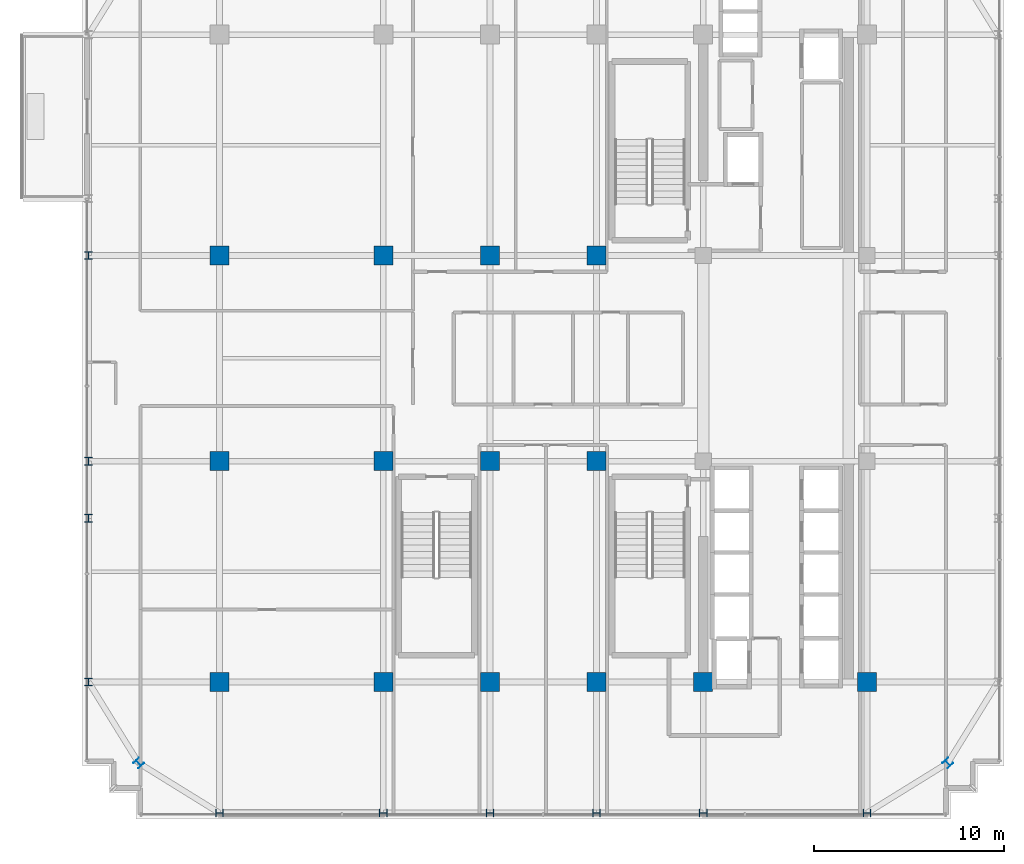
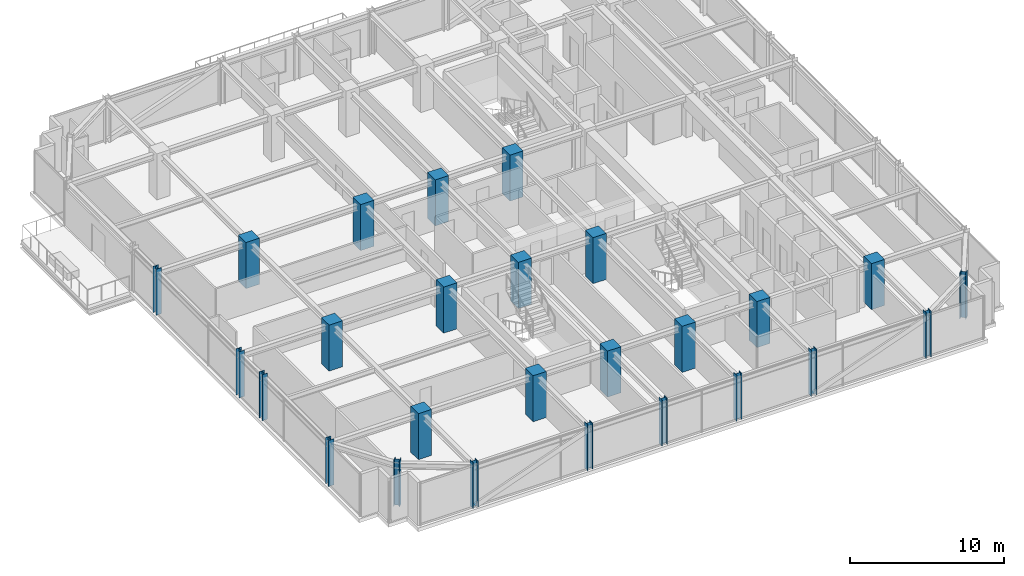
# One storey, part 1 of 41: 26 columns.
"""IFC4 building model written with IfcOpenShell, lengths in metres."""

import ifcopenshell
import ifcopenshell.guid

model = None  # the IFC model being written
_history = None  # IfcOwnerHistory: only IFC2X3 demands one
_inside = {}  # id of a spatial element -> (the spatial element, [elements in it])
_under = {}  # id of a project, library or spatial element -> (it, [spatial elements below it])
_declared = {}  # id of a project -> (the project, [libraries it declares])
_typed = {}  # id of a type object -> (the type object, [elements of that type])
_made_of = {}  # id of a material, layer set ... -> (it, [elements and type objects made of it])


def new_model(schema):
    """Start an empty IFC model of exactly this schema.

    Asked for "IFC4X3", IfcOpenShell would pick the latest addendum, in which some entities
    have other attributes; the version numbers below select the first issue.
    IFC2X3 requires an IfcOwnerHistory on every rooted entity: one is made here for all.
    """
    global model, _history
    if schema == "IFC4X3":
        model = ifcopenshell.file(schema_version=(4, 3, 0, 0))
    else:
        model = ifcopenshell.file(schema=schema)
    _inside.clear()
    _under.clear()
    _declared.clear()
    _typed.clear()
    _made_of.clear()
    _history = None
    if model.schema == "IFC2X3":
        org = make("IfcOrganization", Name="unknown")
        user = make(
            "IfcPersonAndOrganization",
            ThePerson=make("IfcPerson", FamilyName="unknown"),
            TheOrganization=org,
        )
        app = make(
            "IfcApplication",
            ApplicationDeveloper=org,
            Version="unknown",
            ApplicationFullName="unknown",
            ApplicationIdentifier="unknown",
        )
        _history = make(
            "IfcOwnerHistory",
            OwningUser=user,
            OwningApplication=app,
            ChangeAction="ADDED",
            CreationDate=0,
        )
    return model


def make(cls, **values):
    """One entity of the class cls with the attributes given. An attribute that is None is left unset."""
    return model.create_entity(
        cls, **{name: value for name, value in values.items() if value is not None}
    )


def rooted(cls, **values):
    """An entity with a GlobalId (a new one), such as an element, a storey or a relation."""
    return make(cls, GlobalId=ifcopenshell.guid.new(), OwnerHistory=_history, **values)


def si_unit(unit_type, name, prefix=None):
    """IfcSIUnit, for example si_unit("LENGTHUNIT", "METRE", prefix="MILLI")."""
    return make("IfcSIUnit", UnitType=unit_type, Prefix=prefix, Name=name)


def assignment(units):
    """IfcUnitAssignment: the units of a project."""
    return None if units is None else make("IfcUnitAssignment", Units=units)


def point(xyz):
    """IfcCartesianPoint."""
    return None if xyz is None else make("IfcCartesianPoint", Coordinates=xyz)


def direction(xyz):
    """IfcDirection."""
    return None if xyz is None else make("IfcDirection", DirectionRatios=xyz)


def frame(location, z_axis=None, x_axis=None):
    """IfcAxis2Placement3D, a coordinate frame: its origin and axes. An axis left out is left unset."""
    return make(
        "IfcAxis2Placement3D",
        Location=point(location),
        Axis=direction(z_axis),
        RefDirection=direction(x_axis),
    )


def frame_2d(location, x_axis=None):
    """IfcAxis2Placement2D, a coordinate frame in the plane: its origin and x axis."""
    return make(
        "IfcAxis2Placement2D", Location=point(location), RefDirection=direction(x_axis)
    )


def origin():
    """The frame at (0, 0, 0) with its axes left unset."""
    return frame((0.0, 0.0, 0.0))


def origin_2d():
    """The frame at (0, 0) in the plane with its x axis left unset."""
    return frame_2d((0.0, 0.0))


def place(relative_to, where):
    """IfcLocalPlacement: puts the frame where relative to a parent placement (None: the world)."""
    return make(
        "IfcLocalPlacement", PlacementRelTo=relative_to, RelativePlacement=where
    )


def context(
    kind, dimensions, precision=None, world=None, true_north=None, identifier=None
):
    """IfcGeometricRepresentationContext, for example the 3D "Model" context."""
    return make(
        "IfcGeometricRepresentationContext",
        ContextIdentifier=identifier,
        ContextType=kind,
        CoordinateSpaceDimension=dimensions,
        Precision=precision,
        WorldCoordinateSystem=world,
        TrueNorth=true_north,
    )


def subcontext(parent, identifier, kind, view, scale=None):
    """IfcGeometricRepresentationSubContext, for example "Body" below "Model"."""
    return make(
        "IfcGeometricRepresentationSubContext",
        ContextIdentifier=identifier,
        ContextType=kind,
        ParentContext=parent,
        TargetScale=scale,
        TargetView=view,
    )


def project(units=None, contexts=None):
    """IfcProject with its units and contexts."""
    return rooted(
        "IfcProject",
        Name="project",
        RepresentationContexts=contexts,
        UnitsInContext=assignment(units),
    )


def spatial(cls, under=None, at=None, **own):
    """A site, building, storey or space (cls), placed at a placement, below another one or the project."""
    s = rooted(cls, ObjectPlacement=at, **own)
    if under is not None:
        _under.setdefault(under.id(), (under, []))[1].append(s)
    return s


def profile(cls, at=None, kind="AREA", **sizes):
    """A parametric profile (cls). Its sizes go by their IFC names, for example OverallWidth=200.0."""
    return make(cls, ProfileType=kind, Position=at, **sizes)


def rectangle(**sizes):
    """IfcRectangleProfileDef."""
    return profile("IfcRectangleProfileDef", **sizes)


def i_section(**sizes):
    """IfcIShapeProfileDef."""
    return profile("IfcIShapeProfileDef", **sizes)


def extrude(swept, where, along, depth):
    """IfcExtrudedAreaSolid: the profile swept, set in the frame where, extruded along a direction by depth."""
    return make(
        "IfcExtrudedAreaSolid",
        SweptArea=swept,
        Position=where,
        ExtrudedDirection=direction(along),
        Depth=depth,
    )


def shape(context_of_items, identifier, shape_type, items):
    """IfcShapeRepresentation: the items that make up one representation, for example the "Body"."""
    return make(
        "IfcShapeRepresentation",
        ContextOfItems=context_of_items,
        RepresentationIdentifier=identifier,
        RepresentationType=shape_type,
        Items=items,
    )


def source(mapping_origin, context_of_items, identifier, shape_type, items):
    """IfcRepresentationMap: a shape defined once, which mapped items show again and again."""
    return make(
        "IfcRepresentationMap",
        MappingOrigin=mapping_origin,
        MappedRepresentation=shape(context_of_items, identifier, shape_type, items),
    )


def transform(
    local_origin,
    x_axis=None,
    y_axis=None,
    z_axis=None,
    scale=None,
    scale2=None,
    scale3=None,
    uniform=True,
):
    """IfcCartesianTransformationOperator3D, or its non-uniform kind. x_axis, y_axis, z_axis: its Axis1, 2, 3."""
    if uniform:
        return make(
            "IfcCartesianTransformationOperator3D",
            Axis1=direction(x_axis),
            Axis2=direction(y_axis),
            LocalOrigin=point(local_origin),
            Scale=scale,
            Axis3=direction(z_axis),
        )
    return make(
        "IfcCartesianTransformationOperator3DnonUniform",
        Axis1=direction(x_axis),
        Axis2=direction(y_axis),
        LocalOrigin=point(local_origin),
        Scale=scale,
        Axis3=direction(z_axis),
        Scale2=scale2,
        Scale3=scale3,
    )


def mapped(mapping_source, mapping_target):
    """IfcMappedItem: shows the shape of a source again, moved by a transform."""
    return make(
        "IfcMappedItem", MappingSource=mapping_source, MappingTarget=mapping_target
    )


def material(Name=None, Category=None):
    """IfcMaterial."""
    return make("IfcMaterial", Name=Name, Category=Category)


def material_profile(
    of_material, cross_section, Name=None, Category=None, Priority=None
):
    """IfcMaterialProfile: a cross section and its material."""
    return make(
        "IfcMaterialProfile",
        Name=Name,
        Material=of_material,
        Profile=cross_section,
        Priority=Priority,
        Category=Category,
    )


def profile_set(profiles, Name=None, composite=None):
    """IfcMaterialProfileSet."""
    return make(
        "IfcMaterialProfileSet",
        Name=Name,
        MaterialProfiles=profiles,
        CompositeProfile=composite,
    )


def made_of(thing, what):
    """Note that an element or type object is made of a material, layer set ...; save() writes the relation."""
    if what is not None:
        _made_of.setdefault(what.id(), (what, []))[1].append(thing)
    return thing


def type_object(cls, material=None, **own):
    """A type object (cls), such as IfcWallType, which elements share."""
    return made_of(rooted(cls, **own), material)


def element(
    cls,
    number,
    at=None,
    inside=None,
    cuts=None,
    type_object=None,
    material=None,
    context=None,
    identifier="Body",
    shape_type=None,
    held_by="IfcProductDefinitionShape",
    body=None,
    shapes=None,
    **own,
):
    """One element of the class cls, such as IfcWall. Its Tag is "e" and its number.

    at: its placement. inside: the storey or other place that contains it. cuts: it is an
    opening in that element (IfcRelVoidsElement). A single representation is given by context,
    identifier, shape_type and body (its items); several are given by shapes. held_by: the class
    of the entity that holds the representations. save() writes the other relations.
    """
    e = rooted(cls, Tag="e%d" % number, ObjectPlacement=at, **own)
    if body is not None:
        shapes = [shape(context, identifier, shape_type, body)]
    if shapes is not None:
        e.Representation = make(held_by, Representations=shapes)
    if inside is not None:
        _inside.setdefault(inside.id(), (inside, []))[1].append(e)
    if cuts is not None:
        rooted(
            "IfcRelVoidsElement", RelatingBuildingElement=cuts, RelatedOpeningElement=e
        )
    if type_object is not None:
        _typed.setdefault(type_object.id(), (type_object, []))[1].append(e)
    return made_of(e, material)


def aggregate(whole, parts):
    """IfcRelAggregates: a whole, such as a stair, and the parts it consists of."""
    return rooted("IfcRelAggregates", RelatingObject=whole, RelatedObjects=parts)


def save(model, path):
    """Write the relations noted so far, then the file.

    IfcRelAggregates (storeys below a building ...), IfcRelContainedInSpatialStructure (elements
    in a storey), IfcRelDefinesByType, IfcRelAssociatesMaterial and IfcRelDeclares: one each for
    every whole, place, type object, material and project.
    """
    for whole, parts in _under.values():
        aggregate(whole, parts)
    for where, things in _inside.values():
        rooted(
            "IfcRelContainedInSpatialStructure",
            RelatedElements=things,
            RelatingStructure=where,
        )
    for kind, things in _typed.values():
        rooted("IfcRelDefinesByType", RelatedObjects=things, RelatingType=kind)
    for what, things in _made_of.values():
        rooted("IfcRelAssociatesMaterial", RelatedObjects=things, RelatingMaterial=what)
    for by, libraries in _declared.values():
        rooted("IfcRelDeclares", RelatingContext=by, RelatedDefinitions=libraries)
    model.write(path)


model = new_model("IFC4")

# Units and contexts
model_context = context("Model", 3, precision=1e-05, world=origin(), true_north=direction((0.0, 1.0)))
body_context = subcontext(model_context, "Body", "Model", "MODEL_VIEW")
ifc_project = project(units=[si_unit("LENGTHUNIT", "METRE"), si_unit("AREAUNIT", "SQUARE_METRE"), si_unit("VOLUMEUNIT", "CUBIC_METRE"), si_unit("PLANEANGLEUNIT", "RADIAN"), si_unit("MASSUNIT", "GRAM", prefix="KILO")], contexts=[model_context])

# Site, building, storey
site_placement = place(None, origin())
site = spatial("IfcSite", under=ifc_project, at=site_placement, CompositionType="ELEMENT")
building_placement = place(site_placement, origin())
building = spatial("IfcBuilding", under=site, at=building_placement, Name="Nahalor Promenade Grand Hotel", CompositionType="ELEMENT")
storey_placement = place(building_placement, frame((0.0, 0.0, 227.10009765625)))
storey = spatial("IfcBuildingStorey", under=building, at=storey_placement, Name="L58", CompositionType="ELEMENT", Elevation=227.10009765625)

# Columns
ifc_material_1 = material(Name="Concrete B-60 (C50/60)", Category="concrete")
ifc_material_profile_1 = material_profile(ifc_material_1, rectangle(XDim=1.0, YDim=1.0, at=origin_2d()), Name="RC 1000x1000")
ifc_profile_set_1 = profile_set([ifc_material_profile_1], Name="Concrete B-60 (C50/60)")
column_type_1 = type_object("IfcColumnType", Name="Col-RC-1000", PredefinedType="COLUMN", material=ifc_profile_set_1)
shared_shape_1 = source(origin(), body_context, "Body", "SweptSolid", [
    extrude(rectangle(XDim=1.0, YDim=1.0, at=origin_2d()), origin(), (0.0, 0.0, 1.0), 3.65478515625),
])
for number, where, z_axis, x_axis, name in (
    (1, (-17.0, -17.0, 0.0), (0.0, 0.0, 1.0), (1.0, 0.0, 0.0), "COL-L58-I00"),
    (2, (-17.0, -5.39990234375, 0.0), (0.0, 0.0, 1.0), (1.0, 0.0, 0.0), "COL-L58-I01"),
    (3, (-17.0, 5.39990234375, 0.0), (0.0, 0.0, 1.0), (1.0, 0.0, 0.0), "COL-L58-I02"),
    (4, (-8.39990234375, -17.0, 0.0), (0.0, 0.0, 1.0), (1.0, 0.0, 0.0), "COL-L58-I10"),
    (5, (-8.39990234375, -5.39990234375, 0.0), (0.0, 0.0, 1.0), (1.0, 0.0, 0.0), "COL-L58-I11"),
    (6, (-8.39990234375, 5.39990234375, 0.0), (0.0, 0.0, 1.0), (1.0, 0.0, 0.0), "COL-L58-I12"),
    (7, (-2.800048828125, -17.0, 0.0), (0.0, 0.0, 1.0), (1.0, 0.0, 0.0), "COL-L58-I20"),
    (8, (-2.800048828125, -5.39990234375, 0.0), (0.0, 0.0, 1.0), (1.0, 0.0, 0.0), "COL-L58-I21"),
    (9, (-2.800048828125, 5.39990234375, 0.0), (0.0, 0.0, 1.0), (1.0, 0.0, 0.0), "COL-L58-I22"),
    (10, (2.800048828125, -17.0, 0.0), (0.0, 0.0, 1.0), (1.0, 0.0, 0.0), "COL-L58-I30"),
    (11, (2.800048828125, -5.39990234375, 0.0), (0.0, 0.0, 1.0), (1.0, 0.0, 0.0), "COL-L58-I31"),
    (12, (2.800048828125, 5.39990234375, 0.0), (0.0, 0.0, 1.0), (1.0, 0.0, 0.0), "COL-L58-I32"),
    (13, (8.39990234375, -17.0, 0.0), (0.0, 0.0, 1.0), (1.0, 0.0, 0.0), "COL-L58-I40"),
    (14, (17.0, -17.0, 0.0), (0.0, 0.0, 1.0), (1.0, 0.0, 0.0), "COL-L58-I50"),
):
    element("IfcColumn", number, at=place(storey_placement, frame(where, z_axis=z_axis, x_axis=x_axis)), inside=storey, type_object=column_type_1, Name=name, PredefinedType="COLUMN", context=body_context, shape_type="MappedRepresentation", body=[
        mapped(shared_shape_1, transform((0.0, 0.0, 0.0), scale=1.0)),
    ])
ifc_material_2 = material(Name="Steel S355JR", Category="steel")
ifc_material_profile_2 = material_profile(ifc_material_2, i_section(OverallWidth=0.401, OverallDepth=0.406, WebThickness=0.0161, FlangeThickness=0.025, at=origin_2d()), Name="HD 400x314")
ifc_profile_set_2 = profile_set([ifc_material_profile_2], Name="Steel S355JR")
column_type_2 = type_object("IfcColumnType", Name="Col-Steel-HD314", PredefinedType="COLUMN", material=ifc_profile_set_2)
shared_shape_2 = source(origin(), body_context, "Body", "SweptSolid", [
    extrude(i_section(OverallWidth=0.401, OverallDepth=0.406, WebThickness=0.0161, FlangeThickness=0.025, at=origin_2d()), origin(), (0.0, 0.0, 1.0), 3.65478515625),
])
for number, where, z_axis, x_axis, name in (
    (15, (-23.8798828125, -17.0, 0.0), (0.0, 0.0, 1.0), (1.0, 0.0, 0.0), "COL-L58-PW-W0"),
    (16, (-23.8798828125, -8.39990234375, 0.0), (0.0, 0.0, 1.0), (1.0, 0.0, 0.0), "COL-L58-PW-W1"),
    (17, (-23.8798828125, -5.39990234375, 0.0), (0.0, 0.0, 1.0), (1.0, 0.0, 0.0), "COL-L58-PW-W2"),
    (18, (-23.8798828125, 5.39990234375, 0.0), (0.0, 0.0, 1.0), (1.0, 0.0, 0.0), "COL-L58-PW-W3"),
    (19, (-17.0, -23.8798828125, 0.0), (0.0, 0.0, 1.0), (0.0, 1.0, 0.0), "COL-L58-PN-S0"),
    (20, (-8.39990234375, -23.8798828125, 0.0), (0.0, 0.0, 1.0), (0.0, 1.0, 0.0), "COL-L58-PN-S1"),
    (21, (-2.800048828125, -23.8798828125, 0.0), (0.0, 0.0, 1.0), (0.0, 1.0, 0.0), "COL-L58-PN-S2"),
    (22, (2.800048828125, -23.8798828125, 0.0), (0.0, 0.0, 1.0), (0.0, 1.0, 0.0), "COL-L58-PN-S3"),
    (23, (8.39990234375, -23.8798828125, 0.0), (0.0, 0.0, 1.0), (0.0, 1.0, 0.0), "COL-L58-PN-S4"),
    (24, (17.0, -23.8798828125, 0.0), (0.0, 0.0, 1.0), (0.0, 1.0, 0.0), "COL-L58-PN-S5"),
    (25, (-21.25, -21.25, 0.0), (0.0, 0.0, 1.0), (0.707106781187, 0.707106781187, 0.0), "COL-L58-CRN-SW"),
    (26, (21.25, -21.25, 0.0), (0.0, 0.0, 1.0), (0.707106781187, 0.707106781187, 0.0), "COL-L58-CRN-SE"),
):
    element("IfcColumn", number, at=place(storey_placement, frame(where, z_axis=z_axis, x_axis=x_axis)), inside=storey, type_object=column_type_2, Name=name, PredefinedType="COLUMN", context=body_context, shape_type="MappedRepresentation", body=[
        mapped(shared_shape_2, transform((0.0, 0.0, 0.0), scale=1.0)),
    ])

save(model, "model.ifc")
